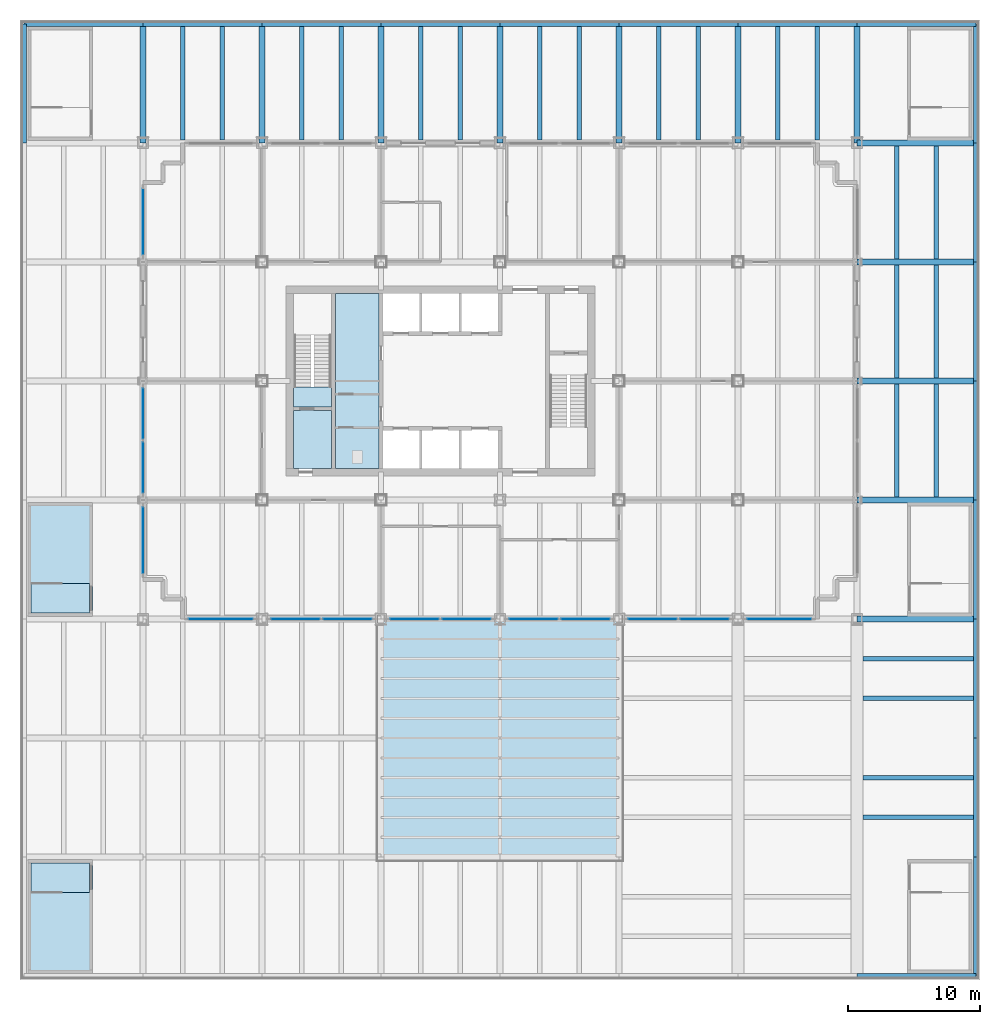
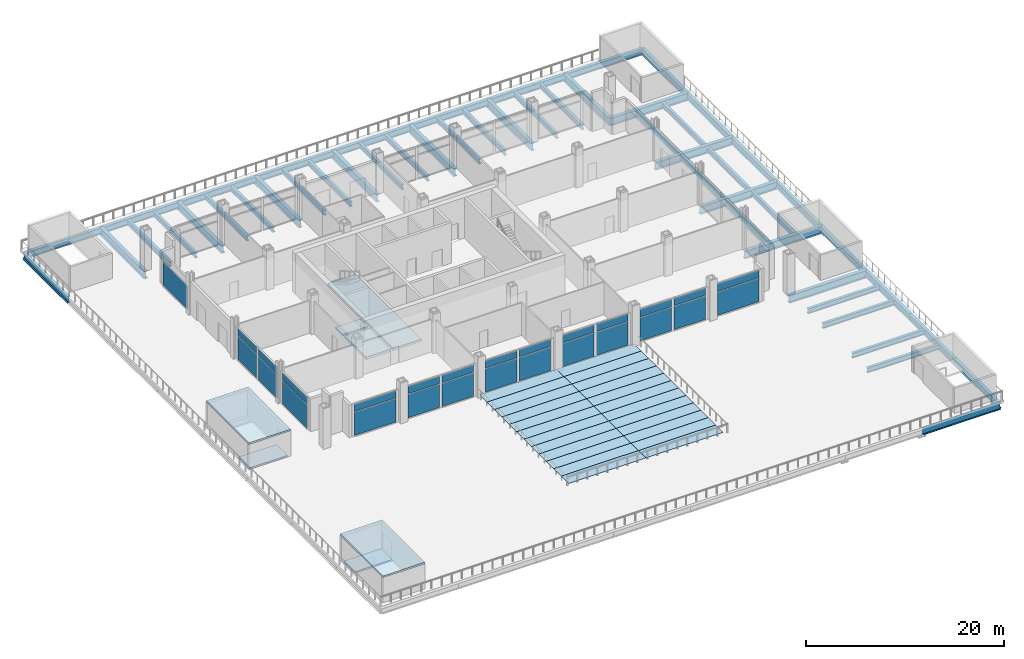
# One storey, part 6 of 16: 52 beams, 51 plates, 7 slabs, 10 elements without a shape of their own.
"""IFC4 building model written with IfcOpenShell, lengths in metres."""

from ifc_helpers import new_model, si_unit, direction, frame, origin, origin_2d, place, context, subcontext, project, spatial, polyline, rectangle, i_section, outline, extrude, material, layer, layer_set, material_profile, profile_set, type_object, element, aggregate, save


model = new_model("IFC4")

# Units and contexts
model_context = context("Model", 3, precision=1e-05, world=origin(), true_north=direction((0.0, 1.0)))
body_context = subcontext(model_context, "Body", "Model", "MODEL_VIEW")
ifc_project = project(units=[si_unit("LENGTHUNIT", "METRE"), si_unit("AREAUNIT", "SQUARE_METRE"), si_unit("VOLUMEUNIT", "CUBIC_METRE"), si_unit("PLANEANGLEUNIT", "RADIAN"), si_unit("MASSUNIT", "GRAM", prefix="KILO")], contexts=[model_context])

# Site, building, storey
site_placement = place(None, origin())
site = spatial("IfcSite", under=ifc_project, at=site_placement, CompositionType="ELEMENT")
building_placement = place(site_placement, origin())
building = spatial("IfcBuilding", under=site, at=building_placement, Name="Loomwork Tower", CompositionType="ELEMENT")
storey_placement = place(building_placement, frame((0.0, 0.0, 23.0)))
storey = spatial("IfcBuildingStorey", under=building, at=storey_placement, Name="L04", CompositionType="ELEMENT", Elevation=23.0)

# Beams
ifc_material_1 = material(Name="Steel ASTM A992", Category="steel")
ifc_material_profile_1 = material_profile(ifc_material_1, i_section(OverallWidth=0.381103515625, OverallDepth=0.77978515625, WebThickness=0.01806640625, FlangeThickness=0.0302734375, at=origin_2d()), Name="W30x191")
ifc_profile_set_1 = profile_set([ifc_material_profile_1], Name="Steel ASTM A992")
beam_type_1 = type_object("IfcBeamType", Name="EDGE GIRDER W30x191", PredefinedType="BEAM", material=ifc_profile_set_1)
for number, where, z_axis, x_axis, name in (
    (1, (54.0, -27.0, -0.68994140625), (1.0, 0.0, 0.0), (0.0, 1.0, 0.0), "Edge Girder A/8-A/9 L04"),
    (2, (-9.0, 45.0, -0.68994140625), (1.0, 0.0, 0.0), (0.0, 1.0, 0.0), "Edge Girder J/1-J/2 L04"),
    (3, (0.0, 45.0, -0.68994140625), (1.0, 0.0, 0.0), (0.0, 1.0, 0.0), "Edge Girder J/2-J/3 L04"),
    (4, (9.0, 45.0, -0.68994140625), (1.0, 0.0, 0.0), (0.0, 1.0, 0.0), "Edge Girder J/3-J/4 L04"),
    (5, (18.0, 45.0, -0.68994140625), (1.0, 0.0, 0.0), (0.0, 1.0, 0.0), "Edge Girder J/4-J/5 L04"),
    (6, (27.0, 45.0, -0.68994140625), (1.0, 0.0, 0.0), (0.0, 1.0, 0.0), "Edge Girder J/5-J/6 L04"),
    (7, (36.0, 45.0, -0.68994140625), (1.0, 0.0, 0.0), (0.0, 1.0, 0.0), "Edge Girder J/6-J/7 L04"),
    (8, (45.0, 45.0, -0.68994140625), (1.0, 0.0, 0.0), (0.0, 1.0, 0.0), "Edge Girder J/7-J/8 L04"),
    (9, (54.0, 45.0, -0.68994140625), (1.0, 0.0, 0.0), (0.0, 1.0, 0.0), "Edge Girder J/8-J/9 L04"),
    (10, (-9.0, 36.0, -0.68994140625), (0.0, 1.0, 0.0), (-1.0, 0.0, 0.0), "Edge Girder H/1-J/1 L04"),
    (11, (63.0, -27.0, -0.68994140625), (0.0, 1.0, 0.0), (-1.0, 0.0, 0.0), "Edge Girder A/9-B/9 L04"),
    (12, (63.0, -18.0, -0.68994140625), (0.0, 1.0, 0.0), (-1.0, 0.0, 0.0), "Edge Girder B/9-C/9 L04"),
    (13, (63.0, -9.0, -0.68994140625), (0.0, 1.0, 0.0), (-1.0, 0.0, 0.0), "Edge Girder C/9-D/9 L04"),
    (14, (63.0, 0.0, -0.68994140625), (0.0, 1.0, 0.0), (-1.0, 0.0, 0.0), "Edge Girder D/9-E/9 L04"),
    (15, (63.0, 9.0, -0.68994140625), (0.0, 1.0, 0.0), (-1.0, 0.0, 0.0), "Edge Girder E/9-F/9 L04"),
    (16, (63.0, 18.0, -0.68994140625), (0.0, 1.0, 0.0), (-1.0, 0.0, 0.0), "Edge Girder F/9-G/9 L04"),
    (17, (63.0, 27.0, -0.68994140625), (0.0, 1.0, 0.0), (-1.0, 0.0, 0.0), "Edge Girder G/9-H/9 L04"),
    (18, (63.0, 36.0, -0.68994140625), (0.0, 1.0, 0.0), (-1.0, 0.0, 0.0), "Edge Girder H/9-J/9 L04"),
):
    element("IfcBeam", number, at=place(storey_placement, frame(where, z_axis=z_axis, x_axis=x_axis)), inside=storey, type_object=beam_type_1, Name=name, PredefinedType="BEAM", context=body_context, shape_type="SweptSolid", body=[
        extrude(i_section(OverallWidth=0.381103515625, OverallDepth=0.77978515625, WebThickness=0.01806640625, FlangeThickness=0.0302734375, at=origin_2d()), origin(), (0.0, 0.0, 1.0), 9.0),
    ])
ifc_material_2 = material(Name="Steel ASTM A992", Category="steel")
ifc_material_profile_2 = material_profile(ifc_material_2, i_section(OverallWidth=0.3251953125, OverallDepth=0.612060546875, WebThickness=0.0126953125, FlangeThickness=0.01904296875, at=origin_2d()), Name="W24x104")
ifc_profile_set_2 = profile_set([ifc_material_profile_2], Name="Steel ASTM A992")
beam_type_2 = type_object("IfcBeamType", Name="FLOOR JOIST W24x104", PredefinedType="JOIST", material=ifc_profile_set_2)
for number, where, z_axis, x_axis, name in (
    (19, (3.0, 36.2119140625, -0.60595703125), (0.0, 1.0, 0.0), (-1.0, 0.0, 0.0), "Floor Joist 3.000,36.000-3.000,45.000 L04"),
    (20, (6.0, 36.2119140625, -0.60595703125), (0.0, 1.0, 0.0), (-1.0, 0.0, 0.0), "Floor Joist 6.000,36.000-6.000,45.000 L04"),
    (21, (12.0, 36.2119140625, -0.60595703125), (0.0, 1.0, 0.0), (-1.0, 0.0, 0.0), "Floor Joist 12.000,36.000-12.000,45.000 L04"),
    (22, (15.0, 36.2119140625, -0.60595703125), (0.0, 1.0, 0.0), (-1.0, 0.0, 0.0), "Floor Joist 15.000,36.000-15.000,45.000 L04"),
    (23, (21.0, 36.2119140625, -0.60595703125), (0.0, 1.0, 0.0), (-1.0, 0.0, 0.0), "Floor Joist 21.000,36.000-21.000,45.000 L04"),
    (24, (24.0, 36.2119140625, -0.60595703125), (0.0, 1.0, 0.0), (-1.0, 0.0, 0.0), "Floor Joist 24.000,36.000-24.000,45.000 L04"),
    (25, (30.0, 36.2119140625, -0.60595703125), (0.0, 1.0, 0.0), (-1.0, 0.0, 0.0), "Floor Joist 30.000,36.000-30.000,45.000 L04"),
    (26, (33.0, 36.2119140625, -0.60595703125), (0.0, 1.0, 0.0), (-1.0, 0.0, 0.0), "Floor Joist 33.000,36.000-33.000,45.000 L04"),
    (27, (39.0, 36.2119140625, -0.60595703125), (0.0, 1.0, 0.0), (-1.0, 0.0, 0.0), "Floor Joist 39.000,36.000-39.000,45.000 L04"),
    (28, (42.0, 36.2119140625, -0.60595703125), (0.0, 1.0, 0.0), (-1.0, 0.0, 0.0), "Floor Joist 42.000,36.000-42.000,45.000 L04"),
    (29, (48.0, 36.2119140625, -0.60595703125), (0.0, 1.0, 0.0), (-1.0, 0.0, 0.0), "Floor Joist 48.000,36.000-48.000,45.000 L04"),
    (30, (51.0, 36.2119140625, -0.60595703125), (0.0, 1.0, 0.0), (-1.0, 0.0, 0.0), "Floor Joist 51.000,36.000-51.000,45.000 L04"),
):
    element("IfcBeam", number, at=place(storey_placement, frame(where, z_axis=z_axis, x_axis=x_axis)), inside=storey, type_object=beam_type_2, Name=name, PredefinedType="JOIST", context=body_context, shape_type="SweptSolid", body=[
        extrude(i_section(OverallWidth=0.3251953125, OverallDepth=0.612060546875, WebThickness=0.0126953125, FlangeThickness=0.01904296875, at=origin_2d()), origin(), (0.0, 0.0, 1.0), 8.59814453125),
    ])
for number, where, z_axis, x_axis, name in (
    (31, (54.449951171875, -15.0, -0.60595703125), (1.0, 0.0, 0.0), (0.0, 1.0, 0.0), "Floor Joist 54.000,-15.000-63.000,-15.000 L04"),
    (32, (54.449951171875, -12.0, -0.60595703125), (1.0, 0.0, 0.0), (0.0, 1.0, 0.0), "Floor Joist 54.000,-12.000-63.000,-12.000 L04"),
    (33, (54.449951171875, -6.0, -0.60595703125), (1.0, 0.0, 0.0), (0.0, 1.0, 0.0), "Floor Joist 54.000,-6.000-63.000,-6.000 L04"),
    (34, (54.449951171875, -3.0, -0.60595703125), (1.0, 0.0, 0.0), (0.0, 1.0, 0.0), "Floor Joist 54.000,-3.000-63.000,-3.000 L04"),
):
    element("IfcBeam", number, at=place(storey_placement, frame(where, z_axis=z_axis, x_axis=x_axis)), inside=storey, type_object=beam_type_2, Name=name, PredefinedType="JOIST", context=body_context, shape_type="SweptSolid", body=[
        extrude(i_section(OverallWidth=0.3251953125, OverallDepth=0.612060546875, WebThickness=0.0126953125, FlangeThickness=0.01904296875, at=origin_2d()), origin(), (0.0, 0.0, 1.0), 8.360107421875),
    ])
for number, where, z_axis, x_axis, name in (
    (35, (57.0, 9.2119140625, -0.60595703125), (0.0, 1.0, 0.0), (-1.0, 0.0, 0.0), "Floor Joist 57.000,9.000-57.000,18.000 L04"),
    (36, (60.0, 9.2119140625, -0.60595703125), (0.0, 1.0, 0.0), (-1.0, 0.0, 0.0), "Floor Joist 60.000,9.000-60.000,18.000 L04"),
    (37, (57.0, 18.2119140625, -0.60595703125), (0.0, 1.0, 0.0), (-1.0, 0.0, 0.0), "Floor Joist 57.000,18.000-57.000,27.000 L04"),
    (38, (60.0, 18.2119140625, -0.60595703125), (0.0, 1.0, 0.0), (-1.0, 0.0, 0.0), "Floor Joist 60.000,18.000-60.000,27.000 L04"),
    (39, (57.0, 27.2119140625, -0.60595703125), (0.0, 1.0, 0.0), (-1.0, 0.0, 0.0), "Floor Joist 57.000,27.000-57.000,36.000 L04"),
    (40, (60.0, 27.2119140625, -0.60595703125), (0.0, 1.0, 0.0), (-1.0, 0.0, 0.0), "Floor Joist 60.000,27.000-60.000,36.000 L04"),
):
    element("IfcBeam", number, at=place(storey_placement, frame(where, z_axis=z_axis, x_axis=x_axis)), inside=storey, type_object=beam_type_2, Name=name, PredefinedType="JOIST", context=body_context, shape_type="SweptSolid", body=[
        extrude(i_section(OverallWidth=0.3251953125, OverallDepth=0.612060546875, WebThickness=0.0126953125, FlangeThickness=0.01904296875, at=origin_2d()), origin(), (0.0, 0.0, 1.0), 8.576171875),
    ])
ifc_material_3 = material(Name="Steel ASTM A992", Category="steel")
ifc_material_profile_3 = material_profile(ifc_material_3, i_section(OverallWidth=0.424072265625, OverallDepth=0.947509765625, WebThickness=0.02392578125, FlangeThickness=0.042724609375, at=origin_2d()), Name="W36x302")
ifc_profile_set_3 = profile_set([ifc_material_profile_3], Name="Steel ASTM A992")
beam_type_3 = type_object("IfcBeamType", Name="TRANSFER FLOOR GIRDER W36x302", PredefinedType="BEAM", material=ifc_profile_set_3)
for number, where, z_axis, x_axis, name in (
    (41, (54.0, 0.0, -0.773681640625), (1.0, 0.0, 0.0), (0.0, 1.0, 0.0), "Transfer Floor Girder D/8-D/9 L04"),
    (42, (54.0, 9.0, -0.773681640625), (1.0, 0.0, 0.0), (0.0, 1.0, 0.0), "Transfer Floor Girder E/8-E/9 L04"),
    (43, (54.0, 18.0, -0.773681640625), (1.0, 0.0, 0.0), (0.0, 1.0, 0.0), "Transfer Floor Girder F/8-F/9 L04"),
    (44, (54.0, 27.0, -0.773681640625), (1.0, 0.0, 0.0), (0.0, 1.0, 0.0), "Transfer Floor Girder G/8-G/9 L04"),
    (45, (54.0, 36.0, -0.773681640625), (1.0, 0.0, 0.0), (0.0, 1.0, 0.0), "Transfer Floor Girder H/8-H/9 L04"),
    (46, (0.0, 36.0, -0.773681640625), (0.0, 1.0, 0.0), (-1.0, 0.0, 0.0), "Transfer Floor Girder H/2-J/2 L04"),
    (47, (9.0, 36.0, -0.773681640625), (0.0, 1.0, 0.0), (-1.0, 0.0, 0.0), "Transfer Floor Girder H/3-J/3 L04"),
    (48, (18.0, 36.0, -0.773681640625), (0.0, 1.0, 0.0), (-1.0, 0.0, 0.0), "Transfer Floor Girder H/4-J/4 L04"),
    (49, (27.0, 36.0, -0.773681640625), (0.0, 1.0, 0.0), (-1.0, 0.0, 0.0), "Transfer Floor Girder H/5-J/5 L04"),
    (50, (36.0, 36.0, -0.773681640625), (0.0, 1.0, 0.0), (-1.0, 0.0, 0.0), "Transfer Floor Girder H/6-J/6 L04"),
    (51, (45.0, 36.0, -0.773681640625), (0.0, 1.0, 0.0), (-1.0, 0.0, 0.0), "Transfer Floor Girder H/7-J/7 L04"),
    (52, (54.0, 36.0, -0.773681640625), (0.0, 1.0, 0.0), (-1.0, 0.0, 0.0), "Transfer Floor Girder H/8-J/8 L04"),
):
    element("IfcBeam", number, at=place(storey_placement, frame(where, z_axis=z_axis, x_axis=x_axis)), inside=storey, type_object=beam_type_3, Name=name, PredefinedType="BEAM", context=body_context, shape_type="SweptSolid", body=[
        extrude(i_section(OverallWidth=0.424072265625, OverallDepth=0.947509765625, WebThickness=0.02392578125, FlangeThickness=0.042724609375, at=origin_2d()), origin(), (0.0, 0.0, 1.0), 9.0),
    ])

# Slabs
ifc_material_4 = material(Name="Concrete 5000 psi (34 MPa) on composite metal deck", Category="concrete")
ifc_layer_1 = layer(ifc_material_4, 0.300048828125)
ifc_layer_set_1 = layer_set([ifc_layer_1], Name="Floor slab 300")
slab_type_1 = type_object("IfcSlabType", Name="Floor slab 300", PredefinedType="FLOOR", material=ifc_layer_set_1)
slab_1_placement = place(storey_placement, frame((0.0, 0.0, -0.300048828125)))
element("IfcSlab", 53, at=slab_1_placement, inside=storey, type_object=slab_type_1, Name="Floor slab L04", PredefinedType="FLOOR", context=body_context, shape_type="SweptSolid", body=[
    extrude(outline(polyline([(14.550048828125, 11.39990234375), (14.550048828125, 24.60009765625), (17.85009765625, 24.60009765625), (17.85009765625, 11.39990234375), (14.550048828125, 11.39990234375)])), origin(), (0.0, 0.0, 1.0), 0.300048828125),
])
slab_2_placement = place(storey_placement, frame((0.0, 0.0, -0.300048828125)))
element("IfcSlab", 54, at=slab_2_placement, inside=storey, type_object=slab_type_1, Name="Floor slab L04", PredefinedType="FLOOR", context=body_context, shape_type="SweptSolid", body=[
    extrude(outline(polyline([(14.25, 15.75), (14.25, 11.39990234375), (11.39990234375, 11.39990234375), (11.39990234375, 15.75), (14.25, 15.75)])), origin(), (0.0, 0.0, 1.0), 0.300048828125),
])

# Curtain wall, plates
ifc_material_5 = material(Name="Aluminium curtain wall frame", Category="aluminium")
curtain_wall_type = type_object("IfcCurtainWallType", Name="Sky lobby glazing", PredefinedType="NOTDEFINED", material=ifc_material_5)
curtain_wall_1_placement = place(storey_placement, origin())
curtain_wall_1 = element("IfcCurtainWall", 55, at=curtain_wall_1_placement, inside=storey, type_object=curtain_wall_type, Name="Sky lobby glazing cw/S-0", PredefinedType="NOTDEFINED")
ifc_material_6 = material(Name="Clear insulated glass", Category="glass")
ifc_layer_2 = layer(ifc_material_6, 0.031982421875)
ifc_layer_set_2 = layer_set([ifc_layer_2], Name="Sky lobby glazing panel")
plate_type_1 = type_object("IfcPlateType", Name="Sky lobby glazing panel", PredefinedType="CURTAIN_PANEL", material=ifc_layer_set_2)
plate_1_placement = place(storey_placement, frame((5.875, 0.0, 0.080078125), z_axis=(0.0, 0.0, 1.0), x_axis=(1.0, 0.0, 0.0)))
plate_1 = element("IfcPlate", 56, at=plate_1_placement, type_object=plate_type_1, Name="CW6 panel 1.1", PredefinedType="CURTAIN_PANEL", context=body_context, shape_type="SweptSolid", body=[
    extrude(rectangle(XDim=4.85009765625, YDim=0.031982421875, at=origin_2d()), origin(), (0.0, 0.0, 1.0), 2.8798828125),
])
plate_2_placement = place(storey_placement, frame((5.875, 0.0, 3.0400390625), z_axis=(0.0, 0.0, 1.0), x_axis=(1.0, 0.0, 0.0)))
plate_2 = element("IfcPlate", 57, at=plate_2_placement, type_object=plate_type_1, Name="CW6 panel 1.2", PredefinedType="CURTAIN_PANEL", context=body_context, shape_type="SweptSolid", body=[
    extrude(rectangle(XDim=4.85009765625, YDim=0.031982421875, at=origin_2d()), origin(), (0.0, 0.0, 1.0), 0.900146484375),
])
aggregate(curtain_wall_1, [plate_1, plate_2])

curtain_wall_2_placement = place(storey_placement, origin())
curtain_wall_2 = element("IfcCurtainWall", 58, at=curtain_wall_2_placement, inside=storey, type_object=curtain_wall_type, Name="Sky lobby glazing cw/S-9", PredefinedType="NOTDEFINED")
plate_3_placement = place(storey_placement, frame((11.52490234375, 0.0, 0.080078125), z_axis=(0.0, 0.0, 1.0), x_axis=(1.0, 0.0, 0.0)))
plate_3 = element("IfcPlate", 59, at=plate_3_placement, type_object=plate_type_1, Name="CW6 panel 1.1", PredefinedType="CURTAIN_PANEL", context=body_context, shape_type="SweptSolid", body=[
    extrude(rectangle(XDim=3.64990234375, YDim=0.031982421875, at=origin_2d()), origin(), (0.0, 0.0, 1.0), 2.8798828125),
])
plate_4_placement = place(storey_placement, frame((11.52490234375, 0.0, 3.0400390625), z_axis=(0.0, 0.0, 1.0), x_axis=(1.0, 0.0, 0.0)))
plate_4 = element("IfcPlate", 60, at=plate_4_placement, type_object=plate_type_1, Name="CW6 panel 1.2", PredefinedType="CURTAIN_PANEL", context=body_context, shape_type="SweptSolid", body=[
    extrude(rectangle(XDim=3.64990234375, YDim=0.031982421875, at=origin_2d()), origin(), (0.0, 0.0, 1.0), 0.900146484375),
])
plate_5_placement = place(storey_placement, frame((15.47509765625, 0.0, 0.080078125), z_axis=(0.0, 0.0, 1.0), x_axis=(1.0, 0.0, 0.0)))
plate_5 = element("IfcPlate", 61, at=plate_5_placement, type_object=plate_type_1, Name="CW6 panel 2.1", PredefinedType="CURTAIN_PANEL", context=body_context, shape_type="SweptSolid", body=[
    extrude(rectangle(XDim=3.64990234375, YDim=0.031982421875, at=origin_2d()), origin(), (0.0, 0.0, 1.0), 2.8798828125),
])
plate_6_placement = place(storey_placement, frame((15.47509765625, 0.0, 3.0400390625), z_axis=(0.0, 0.0, 1.0), x_axis=(1.0, 0.0, 0.0)))
plate_6 = element("IfcPlate", 62, at=plate_6_placement, type_object=plate_type_1, Name="CW6 panel 2.2", PredefinedType="CURTAIN_PANEL", context=body_context, shape_type="SweptSolid", body=[
    extrude(rectangle(XDim=3.64990234375, YDim=0.031982421875, at=origin_2d()), origin(), (0.0, 0.0, 1.0), 0.900146484375),
])
aggregate(curtain_wall_2, [plate_3, plate_4, plate_5, plate_6])

curtain_wall_3_placement = place(storey_placement, origin())
curtain_wall_3 = element("IfcCurtainWall", 63, at=curtain_wall_3_placement, inside=storey, type_object=curtain_wall_type, Name="Sky lobby glazing cw/S-18", PredefinedType="NOTDEFINED")
plate_7_placement = place(storey_placement, frame((20.52490234375, 0.0, 0.080078125), z_axis=(0.0, 0.0, 1.0), x_axis=(1.0, 0.0, 0.0)))
plate_7 = element("IfcPlate", 64, at=plate_7_placement, type_object=plate_type_1, Name="CW6 panel 1.1", PredefinedType="CURTAIN_PANEL", context=body_context, shape_type="SweptSolid", body=[
    extrude(rectangle(XDim=3.64990234375, YDim=0.031982421875, at=origin_2d()), origin(), (0.0, 0.0, 1.0), 2.8798828125),
])
plate_8_placement = place(storey_placement, frame((20.52490234375, 0.0, 3.0400390625), z_axis=(0.0, 0.0, 1.0), x_axis=(1.0, 0.0, 0.0)))
plate_8 = element("IfcPlate", 65, at=plate_8_placement, type_object=plate_type_1, Name="CW6 panel 1.2", PredefinedType="CURTAIN_PANEL", context=body_context, shape_type="SweptSolid", body=[
    extrude(rectangle(XDim=3.64990234375, YDim=0.031982421875, at=origin_2d()), origin(), (0.0, 0.0, 1.0), 0.900146484375),
])
plate_9_placement = place(storey_placement, frame((24.47509765625, 0.0, 0.080078125), z_axis=(0.0, 0.0, 1.0), x_axis=(1.0, 0.0, 0.0)))
plate_9 = element("IfcPlate", 66, at=plate_9_placement, type_object=plate_type_1, Name="CW6 panel 2.1", PredefinedType="CURTAIN_PANEL", context=body_context, shape_type="SweptSolid", body=[
    extrude(rectangle(XDim=3.64990234375, YDim=0.031982421875, at=origin_2d()), origin(), (0.0, 0.0, 1.0), 2.8798828125),
])
plate_10_placement = place(storey_placement, frame((24.47509765625, 0.0, 3.0400390625), z_axis=(0.0, 0.0, 1.0), x_axis=(1.0, 0.0, 0.0)))
plate_10 = element("IfcPlate", 67, at=plate_10_placement, type_object=plate_type_1, Name="CW6 panel 2.2", PredefinedType="CURTAIN_PANEL", context=body_context, shape_type="SweptSolid", body=[
    extrude(rectangle(XDim=3.64990234375, YDim=0.031982421875, at=origin_2d()), origin(), (0.0, 0.0, 1.0), 0.900146484375),
])
aggregate(curtain_wall_3, [plate_7, plate_8, plate_9, plate_10])

curtain_wall_4_placement = place(storey_placement, origin())
curtain_wall_4 = element("IfcCurtainWall", 68, at=curtain_wall_4_placement, inside=storey, type_object=curtain_wall_type, Name="Sky lobby glazing cw/S-27", PredefinedType="NOTDEFINED")
plate_11_placement = place(storey_placement, frame((29.52490234375, 0.0, 0.080078125), z_axis=(0.0, 0.0, 1.0), x_axis=(1.0, 0.0, 0.0)))
plate_11 = element("IfcPlate", 69, at=plate_11_placement, type_object=plate_type_1, Name="CW6 panel 1.1", PredefinedType="CURTAIN_PANEL", context=body_context, shape_type="SweptSolid", body=[
    extrude(rectangle(XDim=3.64990234375, YDim=0.031982421875, at=origin_2d()), origin(), (0.0, 0.0, 1.0), 2.8798828125),
])
plate_12_placement = place(storey_placement, frame((29.52490234375, 0.0, 3.0400390625), z_axis=(0.0, 0.0, 1.0), x_axis=(1.0, 0.0, 0.0)))
plate_12 = element("IfcPlate", 70, at=plate_12_placement, type_object=plate_type_1, Name="CW6 panel 1.2", PredefinedType="CURTAIN_PANEL", context=body_context, shape_type="SweptSolid", body=[
    extrude(rectangle(XDim=3.64990234375, YDim=0.031982421875, at=origin_2d()), origin(), (0.0, 0.0, 1.0), 0.900146484375),
])
plate_13_placement = place(storey_placement, frame((33.47509765625, 0.0, 0.080078125), z_axis=(0.0, 0.0, 1.0), x_axis=(1.0, 0.0, 0.0)))
plate_13 = element("IfcPlate", 71, at=plate_13_placement, type_object=plate_type_1, Name="CW6 panel 2.1", PredefinedType="CURTAIN_PANEL", context=body_context, shape_type="SweptSolid", body=[
    extrude(rectangle(XDim=3.64990234375, YDim=0.031982421875, at=origin_2d()), origin(), (0.0, 0.0, 1.0), 2.8798828125),
])
plate_14_placement = place(storey_placement, frame((33.47509765625, 0.0, 3.0400390625), z_axis=(0.0, 0.0, 1.0), x_axis=(1.0, 0.0, 0.0)))
plate_14 = element("IfcPlate", 72, at=plate_14_placement, type_object=plate_type_1, Name="CW6 panel 2.2", PredefinedType="CURTAIN_PANEL", context=body_context, shape_type="SweptSolid", body=[
    extrude(rectangle(XDim=3.64990234375, YDim=0.031982421875, at=origin_2d()), origin(), (0.0, 0.0, 1.0), 0.900146484375),
])
aggregate(curtain_wall_4, [plate_11, plate_12, plate_13, plate_14])

curtain_wall_5_placement = place(storey_placement, origin())
curtain_wall_5 = element("IfcCurtainWall", 73, at=curtain_wall_5_placement, inside=storey, type_object=curtain_wall_type, Name="Sky lobby glazing cw/S-36", PredefinedType="NOTDEFINED")
plate_15_placement = place(storey_placement, frame((38.52490234375, 0.0, 0.080078125), z_axis=(0.0, 0.0, 1.0), x_axis=(1.0, 0.0, 0.0)))
plate_15 = element("IfcPlate", 74, at=plate_15_placement, type_object=plate_type_1, Name="CW6 panel 1.1", PredefinedType="CURTAIN_PANEL", context=body_context, shape_type="SweptSolid", body=[
    extrude(rectangle(XDim=3.64990234375, YDim=0.031982421875, at=origin_2d()), origin(), (0.0, 0.0, 1.0), 2.8798828125),
])
plate_16_placement = place(storey_placement, frame((38.52490234375, 0.0, 3.0400390625), z_axis=(0.0, 0.0, 1.0), x_axis=(1.0, 0.0, 0.0)))
plate_16 = element("IfcPlate", 75, at=plate_16_placement, type_object=plate_type_1, Name="CW6 panel 1.2", PredefinedType="CURTAIN_PANEL", context=body_context, shape_type="SweptSolid", body=[
    extrude(rectangle(XDim=3.64990234375, YDim=0.031982421875, at=origin_2d()), origin(), (0.0, 0.0, 1.0), 0.900146484375),
])
plate_17_placement = place(storey_placement, frame((42.47509765625, 0.0, 0.080078125), z_axis=(0.0, 0.0, 1.0), x_axis=(1.0, 0.0, 0.0)))
plate_17 = element("IfcPlate", 76, at=plate_17_placement, type_object=plate_type_1, Name="CW6 panel 2.1", PredefinedType="CURTAIN_PANEL", context=body_context, shape_type="SweptSolid", body=[
    extrude(rectangle(XDim=3.64990234375, YDim=0.031982421875, at=origin_2d()), origin(), (0.0, 0.0, 1.0), 2.8798828125),
])
plate_18_placement = place(storey_placement, frame((42.47509765625, 0.0, 3.0400390625), z_axis=(0.0, 0.0, 1.0), x_axis=(1.0, 0.0, 0.0)))
plate_18 = element("IfcPlate", 77, at=plate_18_placement, type_object=plate_type_1, Name="CW6 panel 2.2", PredefinedType="CURTAIN_PANEL", context=body_context, shape_type="SweptSolid", body=[
    extrude(rectangle(XDim=3.64990234375, YDim=0.031982421875, at=origin_2d()), origin(), (0.0, 0.0, 1.0), 0.900146484375),
])
aggregate(curtain_wall_5, [plate_15, plate_16, plate_17, plate_18])

curtain_wall_6_placement = place(storey_placement, origin())
curtain_wall_6 = element("IfcCurtainWall", 78, at=curtain_wall_6_placement, inside=storey, type_object=curtain_wall_type, Name="Sky lobby glazing cw/S-45", PredefinedType="NOTDEFINED")
plate_19_placement = place(storey_placement, frame((48.125, 0.0, 0.080078125), z_axis=(0.0, 0.0, 1.0), x_axis=(1.0, 0.0, 0.0)))
plate_19 = element("IfcPlate", 79, at=plate_19_placement, type_object=plate_type_1, Name="CW6 panel 1.1", PredefinedType="CURTAIN_PANEL", context=body_context, shape_type="SweptSolid", body=[
    extrude(rectangle(XDim=4.85009765625, YDim=0.031982421875, at=origin_2d()), origin(), (0.0, 0.0, 1.0), 2.8798828125),
])
plate_20_placement = place(storey_placement, frame((48.125, 0.0, 3.0400390625), z_axis=(0.0, 0.0, 1.0), x_axis=(1.0, 0.0, 0.0)))
plate_20 = element("IfcPlate", 80, at=plate_20_placement, type_object=plate_type_1, Name="CW6 panel 1.2", PredefinedType="CURTAIN_PANEL", context=body_context, shape_type="SweptSolid", body=[
    extrude(rectangle(XDim=4.85009765625, YDim=0.031982421875, at=origin_2d()), origin(), (0.0, 0.0, 1.0), 0.900146484375),
])
aggregate(curtain_wall_6, [plate_19, plate_20])

curtain_wall_7_placement = place(storey_placement, origin())
curtain_wall_7 = element("IfcCurtainWall", 81, at=curtain_wall_7_placement, inside=storey, type_object=curtain_wall_type, Name="Sky lobby glazing cw/W-0", PredefinedType="NOTDEFINED")
plate_21_placement = place(storey_placement, frame((0.0, 5.95556640625, 0.080078125), z_axis=(0.0, 0.0, 1.0), x_axis=(0.0, -1.0, 0.0)))
plate_21 = element("IfcPlate", 82, at=plate_21_placement, type_object=plate_type_1, Name="CW6 panel 1.1", PredefinedType="CURTAIN_PANEL", context=body_context, shape_type="SweptSolid", body=[
    extrude(rectangle(XDim=5.01123046875, YDim=0.031982421875, at=origin_2d()), origin(), (0.0, 0.0, 1.0), 2.8798828125),
])
plate_22_placement = place(storey_placement, frame((0.0, 5.95556640625, 3.0400390625), z_axis=(0.0, 0.0, 1.0), x_axis=(0.0, -1.0, 0.0)))
plate_22 = element("IfcPlate", 83, at=plate_22_placement, type_object=plate_type_1, Name="CW6 panel 1.2", PredefinedType="CURTAIN_PANEL", context=body_context, shape_type="SweptSolid", body=[
    extrude(rectangle(XDim=5.01123046875, YDim=0.031982421875, at=origin_2d()), origin(), (0.0, 0.0, 1.0), 0.900146484375),
])
aggregate(curtain_wall_7, [plate_21, plate_22])

curtain_wall_8_placement = place(storey_placement, origin())
curtain_wall_8 = element("IfcCurtainWall", 84, at=curtain_wall_8_placement, inside=storey, type_object=curtain_wall_type, Name="Sky lobby glazing cw/W-9", PredefinedType="NOTDEFINED")
plate_23_placement = place(storey_placement, frame((0.0, 15.5556640625, 0.080078125), z_axis=(0.0, 0.0, 1.0), x_axis=(0.0, -1.0, 0.0)))
plate_23 = element("IfcPlate", 85, at=plate_23_placement, type_object=plate_type_1, Name="CW6 panel 1.1", PredefinedType="CURTAIN_PANEL", context=body_context, shape_type="SweptSolid", body=[
    extrude(rectangle(XDim=3.811279296875, YDim=0.031982421875, at=origin_2d()), origin(), (0.0, 0.0, 1.0), 2.8798828125),
])
plate_24_placement = place(storey_placement, frame((0.0, 15.5556640625, 3.0400390625), z_axis=(0.0, 0.0, 1.0), x_axis=(0.0, -1.0, 0.0)))
plate_24 = element("IfcPlate", 86, at=plate_24_placement, type_object=plate_type_1, Name="CW6 panel 1.2", PredefinedType="CURTAIN_PANEL", context=body_context, shape_type="SweptSolid", body=[
    extrude(rectangle(XDim=3.811279296875, YDim=0.031982421875, at=origin_2d()), origin(), (0.0, 0.0, 1.0), 0.900146484375),
])
plate_25_placement = place(storey_placement, frame((0.0, 11.4443359375, 0.080078125), z_axis=(0.0, 0.0, 1.0), x_axis=(0.0, -1.0, 0.0)))
plate_25 = element("IfcPlate", 87, at=plate_25_placement, type_object=plate_type_1, Name="CW6 panel 2.1", PredefinedType="CURTAIN_PANEL", context=body_context, shape_type="SweptSolid", body=[
    extrude(rectangle(XDim=3.811279296875, YDim=0.031982421875, at=origin_2d()), origin(), (0.0, 0.0, 1.0), 2.8798828125),
])
plate_26_placement = place(storey_placement, frame((0.0, 11.4443359375, 3.0400390625), z_axis=(0.0, 0.0, 1.0), x_axis=(0.0, -1.0, 0.0)))
plate_26 = element("IfcPlate", 88, at=plate_26_placement, type_object=plate_type_1, Name="CW6 panel 2.2", PredefinedType="CURTAIN_PANEL", context=body_context, shape_type="SweptSolid", body=[
    extrude(rectangle(XDim=3.811279296875, YDim=0.031982421875, at=origin_2d()), origin(), (0.0, 0.0, 1.0), 0.900146484375),
])
aggregate(curtain_wall_8, [plate_23, plate_24, plate_25, plate_26])

# Curtain wall, plate
curtain_wall_9_placement = place(storey_placement, origin())
curtain_wall_9 = element("IfcCurtainWall", 89, at=curtain_wall_9_placement, inside=storey, type_object=curtain_wall_type, Name="Sky lobby glazing cw/W-27", PredefinedType="NOTDEFINED")
plate_27_placement = place(storey_placement, frame((0.0, 30.04443359375, 0.080078125), z_axis=(0.0, 0.0, 1.0), x_axis=(0.0, -1.0, 0.0)))
plate_27 = element("IfcPlate", 90, at=plate_27_placement, type_object=plate_type_1, Name="CW6 panel 1.1", PredefinedType="CURTAIN_PANEL", context=body_context, shape_type="SweptSolid", body=[
    extrude(rectangle(XDim=5.01123046875, YDim=0.031982421875, at=origin_2d()), origin(), (0.0, 0.0, 1.0), 2.8798828125),
])
aggregate(curtain_wall_9, [plate_27])

# Plates
ifc_material_7 = material(Name="Laminated glass", Category="glass")
ifc_layer_3 = layer(ifc_material_7, 0.031982421875)
ifc_layer_set_3 = layer_set([ifc_layer_3], Name="Skylight glass 32")
plate_type_2 = type_object("IfcPlateType", Name="Skylight glass 32", PredefinedType="SHEET", material=ifc_layer_set_3)
for number, where, z_axis, x_axis, name in (
    (91, (22.5, -17.25, -0.0322265625), (0.0, 0.0, 1.0), (1.0, 0.0, 0.0), "Skylight glass panel 1"),
    (92, (31.5, -17.25, -0.0322265625), (0.0, 0.0, 1.0), (1.0, 0.0, 0.0), "Skylight glass panel 1"),
    (93, (22.5, -15.75, -0.0322265625), (0.0, 0.0, 1.0), (1.0, 0.0, 0.0), "Skylight glass panel 2"),
    (94, (31.5, -15.75, -0.0322265625), (0.0, 0.0, 1.0), (1.0, 0.0, 0.0), "Skylight glass panel 2"),
    (95, (22.5, -14.25, -0.0322265625), (0.0, 0.0, 1.0), (1.0, 0.0, 0.0), "Skylight glass panel 3"),
    (96, (31.5, -14.25, -0.0322265625), (0.0, 0.0, 1.0), (1.0, 0.0, 0.0), "Skylight glass panel 3"),
    (97, (22.5, -12.75, -0.0322265625), (0.0, 0.0, 1.0), (1.0, 0.0, 0.0), "Skylight glass panel 4"),
    (98, (31.5, -12.75, -0.0322265625), (0.0, 0.0, 1.0), (1.0, 0.0, 0.0), "Skylight glass panel 4"),
    (99, (22.5, -11.25, -0.0322265625), (0.0, 0.0, 1.0), (1.0, 0.0, 0.0), "Skylight glass panel 5"),
    (100, (31.5, -11.25, -0.0322265625), (0.0, 0.0, 1.0), (1.0, 0.0, 0.0), "Skylight glass panel 5"),
    (101, (22.5, -9.75, -0.0322265625), (0.0, 0.0, 1.0), (1.0, 0.0, 0.0), "Skylight glass panel 6"),
    (102, (31.5, -9.75, -0.0322265625), (0.0, 0.0, 1.0), (1.0, 0.0, 0.0), "Skylight glass panel 6"),
    (103, (22.5, -8.25, -0.0322265625), (0.0, 0.0, 1.0), (1.0, 0.0, 0.0), "Skylight glass panel 7"),
    (104, (31.5, -8.25, -0.0322265625), (0.0, 0.0, 1.0), (1.0, 0.0, 0.0), "Skylight glass panel 7"),
    (105, (22.5, -6.75, -0.0322265625), (0.0, 0.0, 1.0), (1.0, 0.0, 0.0), "Skylight glass panel 8"),
    (106, (31.5, -6.75, -0.0322265625), (0.0, 0.0, 1.0), (1.0, 0.0, 0.0), "Skylight glass panel 8"),
    (107, (22.5, -5.25, -0.0322265625), (0.0, 0.0, 1.0), (1.0, 0.0, 0.0), "Skylight glass panel 9"),
    (108, (31.5, -5.25, -0.0322265625), (0.0, 0.0, 1.0), (1.0, 0.0, 0.0), "Skylight glass panel 9"),
    (109, (22.5, -3.75, -0.0322265625), (0.0, 0.0, 1.0), (1.0, 0.0, 0.0), "Skylight glass panel 10"),
    (110, (31.5, -3.75, -0.0322265625), (0.0, 0.0, 1.0), (1.0, 0.0, 0.0), "Skylight glass panel 10"),
    (111, (22.5, -2.25, -0.0322265625), (0.0, 0.0, 1.0), (1.0, 0.0, 0.0), "Skylight glass panel 11"),
    (112, (31.5, -2.25, -0.0322265625), (0.0, 0.0, 1.0), (1.0, 0.0, 0.0), "Skylight glass panel 11"),
    (113, (22.5, -0.75, -0.0322265625), (0.0, 0.0, 1.0), (1.0, 0.0, 0.0), "Skylight glass panel 12"),
    (114, (31.5, -0.75, -0.0322265625), (0.0, 0.0, 1.0), (1.0, 0.0, 0.0), "Skylight glass panel 12"),
):
    element("IfcPlate", number, at=place(storey_placement, frame(where, z_axis=z_axis, x_axis=x_axis)), inside=storey, type_object=plate_type_2, Name=name, PredefinedType="SHEET", context=body_context, shape_type="SweptSolid", body=[
        extrude(rectangle(XDim=9.0, YDim=1.5, at=origin_2d()), origin(), (0.0, 0.0, 1.0), 0.031982421875),
    ])

# Slabs
ifc_material_8 = material(Name="Concrete 5000 psi (34 MPa)", Category="concrete")
ifc_layer_4 = layer(ifc_material_8, 0.199951171875)
ifc_layer_set_4 = layer_set([ifc_layer_4], Name="Stair head-house roof slab 200")
slab_type_2 = type_object("IfcSlabType", Name="Stair head-house roof slab 200", PredefinedType="ROOF", material=ifc_layer_set_4)
slab_3_placement = place(storey_placement, frame((0.0, 0.0, 3.10009765625)))
element("IfcSlab", 115, at=slab_3_placement, inside=storey, type_object=slab_type_2, Name="Stair PS1 head-house roof", PredefinedType="ROOF", context=body_context, shape_type="SweptSolid", body=[
    extrude(outline(polyline([(-8.699951171875, -26.800048828125), (-3.800048828125, -26.800048828125), (-3.800048828125, -18.199951171875), (-8.699951171875, -18.199951171875), (-8.699951171875, -26.800048828125)])), origin(), (0.0, 0.0, 1.0), 0.199951171875),
])
slab_4_placement = place(storey_placement, frame((0.0, 0.0, 3.10009765625)))
element("IfcSlab", 116, at=slab_4_placement, inside=storey, type_object=slab_type_2, Name="Stair PS5 head-house roof", PredefinedType="ROOF", context=body_context, shape_type="SweptSolid", body=[
    extrude(outline(polyline([(-8.699951171875, 0.199951171875), (-3.800048828125, 0.199951171875), (-3.800048828125, 8.800048828125), (-8.699951171875, 8.800048828125), (-8.699951171875, 0.199951171875)])), origin(), (0.0, 0.0, 1.0), 0.199951171875),
])

# Stair, slab
ifc_material_9 = material(Name="Concrete 5000 psi (34 MPa) precast stair", Category="concrete")
stair_type = type_object("IfcStairType", Name="Stair ST-A 30 risers 2850 wide", PredefinedType="HALF_TURN_STAIR", material=ifc_material_9)
stair_placement = place(storey_placement, origin())
stair = element("IfcStair", 117, at=stair_placement, inside=storey, type_object=stair_type, Name="Stair A L04", PredefinedType="HALF_TURN_STAIR")
ifc_material_10 = material(Name="Concrete 5000 psi (34 MPa)", Category="concrete")
ifc_layer_5 = layer(ifc_material_10, 0.199951171875)
ifc_layer_set_5 = layer_set([ifc_layer_5], Name="Stair landing 200")
slab_type_3 = type_object("IfcSlabType", Name="Stair landing 200", PredefinedType="LANDING", material=ifc_layer_set_5)
slab_5_placement = place(storey_placement, frame((0.0, 0.0, -0.199951171875)))
slab_5 = element("IfcSlab", 118, at=slab_5_placement, type_object=slab_type_3, Name="ST-A landing 1", PredefinedType="LANDING", context=body_context, shape_type="SweptSolid", body=[
    extrude(outline(polyline([(11.39990234375, 16.050048828125), (14.25, 16.050048828125), (14.25, 17.550048828125), (11.39990234375, 17.550048828125), (11.39990234375, 16.050048828125)])), origin(), (0.0, 0.0, 1.0), 0.199951171875),
])
aggregate(stair, [slab_5])

# Slabs
slab_6_placement = place(storey_placement, frame((0.0, 0.0, -0.199951171875)))
element("IfcSlab", 119, at=slab_6_placement, inside=storey, type_object=slab_type_3, Name="Stair PS1 terrace landing", PredefinedType="LANDING", context=body_context, shape_type="SweptSolid", body=[
    extrude(outline(polyline([(-8.449951171875, -20.679931640625), (-4.050048828125, -20.679931640625), (-4.050048828125, -18.449951171875), (-8.449951171875, -18.449951171875), (-8.449951171875, -20.679931640625)])), origin(), (0.0, 0.0, 1.0), 0.199951171875),
])
slab_7_placement = place(storey_placement, frame((0.0, 0.0, -0.199951171875)))
element("IfcSlab", 120, at=slab_7_placement, inside=storey, type_object=slab_type_3, Name="Stair PS5 terrace landing", PredefinedType="LANDING", context=body_context, shape_type="SweptSolid", body=[
    extrude(outline(polyline([(-8.449951171875, 0.449951171875), (-4.050048828125, 0.449951171875), (-4.050048828125, 2.679931640625), (-8.449951171875, 2.679931640625), (-8.449951171875, 0.449951171875)])), origin(), (0.0, 0.0, 1.0), 0.199951171875),
])

save(model, "model.ifc")
